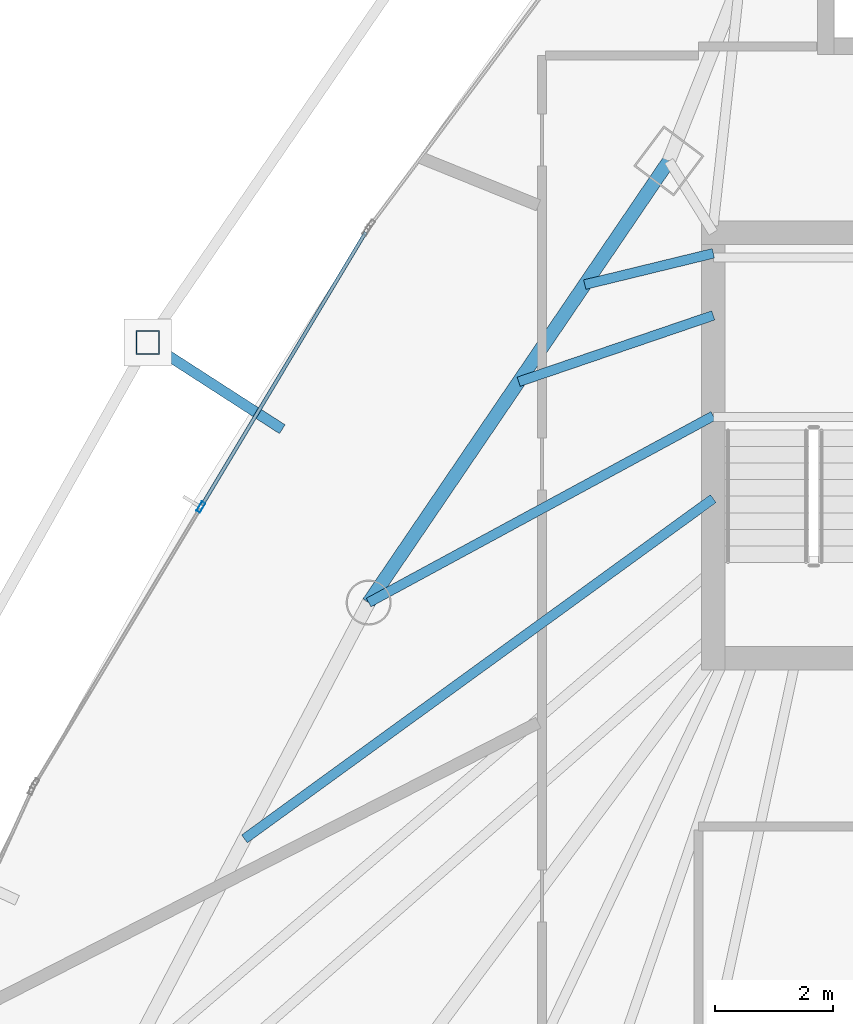
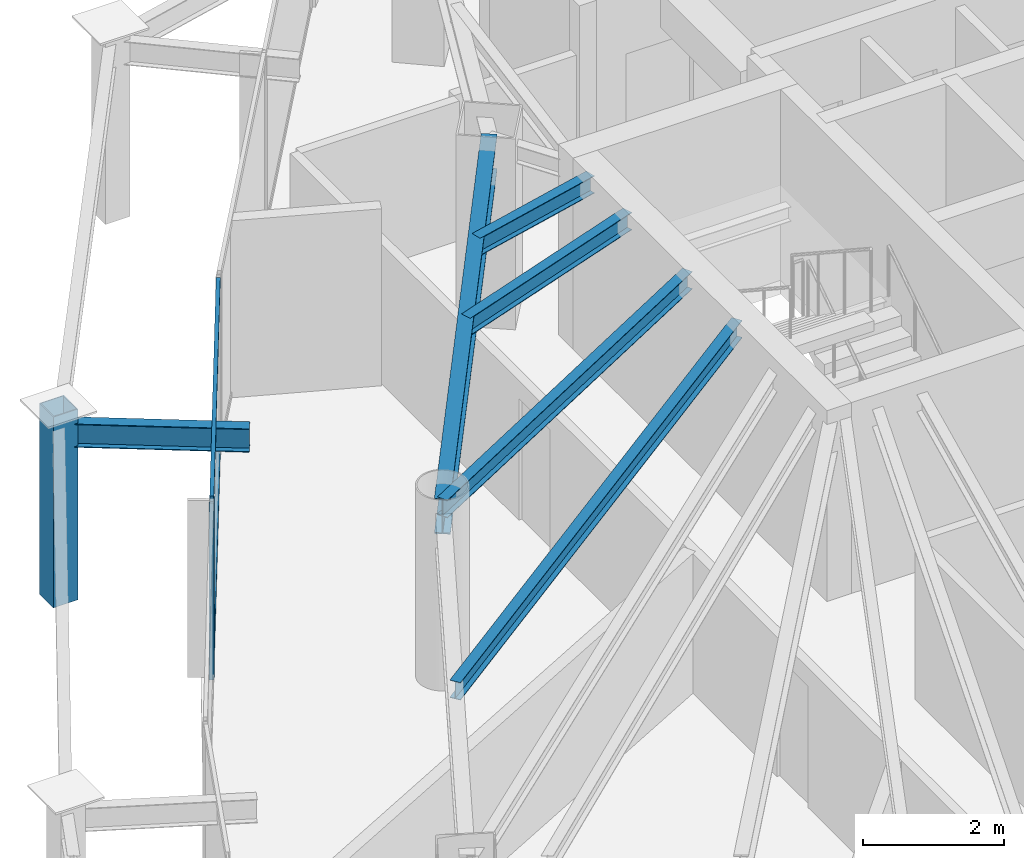
# One storey, part 12 of 31: 6 beams, 4 members, 1 element without a shape of its own.
"""IFC4 building model written with IfcOpenShell, lengths in metres."""

from ifc_helpers import new_model, si_unit, direction, frame, origin, origin_2d, place, context, subcontext, project, spatial, hollow_rectangle, i_section, extrude, material, layer, layer_set, material_profile, profile_set, type_object, element, aggregate, save


model = new_model("IFC4")

# Units and contexts
model_context = context("Model", 3, precision=1e-05, world=origin(), true_north=direction((0.0, 1.0)))
body_context = subcontext(model_context, "Body", "Model", "MODEL_VIEW")
ifc_project = project(units=[si_unit("LENGTHUNIT", "METRE"), si_unit("AREAUNIT", "SQUARE_METRE"), si_unit("VOLUMEUNIT", "CUBIC_METRE"), si_unit("PLANEANGLEUNIT", "RADIAN"), si_unit("MASSUNIT", "GRAM", prefix="KILO")], contexts=[model_context])

# Site, building, storey
site_placement = place(None, origin())
site = spatial("IfcSite", under=ifc_project, at=site_placement, CompositionType="ELEMENT")
building_placement = place(site_placement, origin())
building = spatial("IfcBuilding", under=site, at=building_placement, Name="Orvanel Arch Residences", CompositionType="ELEMENT")
storey_placement = place(building_placement, frame((0.0, 0.0, 157.25)))
storey = spatial("IfcBuildingStorey", under=building, at=storey_placement, Name="L44", CompositionType="ELEMENT", Elevation=157.25)

# Beams
ifc_material_1 = material(Name="Structural steel AS/NZS 3679.1 Grade 300 (300 MPa)", Category="steel")
ifc_material_profile_1 = material_profile(ifc_material_1, i_section(OverallWidth=0.1650390625, OverallDepth=0.303955078125, WebThickness=0.006103515625, FlangeThickness=0.01025390625, at=origin_2d()), Name="310UB40.4")
ifc_profile_set_1 = profile_set([ifc_material_profile_1], Name="Structural steel AS/NZS 3679.1 Grade 300 (300 MPa)")
beam_type_1 = type_object("IfcBeamType", Name="BJ-310UB", PredefinedType="JOIST", material=ifc_profile_set_1)
beam_1_placement = place(storey_placement, frame((26.39990234375, 30.800048828125, 2.907958984375), z_axis=(-0.87925534649, -0.476350748576, 0.0), x_axis=(0.476350748576, -0.87925534649, 0.0)))
element("IfcBeam", 1, at=beam_1_placement, inside=storey, type_object=beam_type_1, Name="L44 NW Wing Floor Joist", PredefinedType="JOIST", context=body_context, shape_type="SweptSolid", body=[
    extrude(i_section(OverallWidth=0.1650390625, OverallDepth=0.303955078125, WebThickness=0.006103515625, FlangeThickness=0.01025390625, at=origin_2d()), origin(), (0.0, 0.0, 1.0), 6.631591796875),
])
beam_2_placement = place(storey_placement, frame((26.39990234375, 32.5, 2.907958984375), z_axis=(-0.946441958332, -0.322873999431, 0.0), x_axis=(0.322873999431, -0.946441958332, 0.0)))
element("IfcBeam", 2, at=beam_2_placement, inside=storey, type_object=beam_type_1, Name="L44 WNW Wing Floor Joist", PredefinedType="JOIST", context=body_context, shape_type="SweptSolid", body=[
    extrude(i_section(OverallWidth=0.1650390625, OverallDepth=0.303955078125, WebThickness=0.006103515625, FlangeThickness=0.01025390625, at=origin_2d()), origin(), (0.0, 0.0, 1.0), 3.478271484375),
])
beam_3_placement = place(storey_placement, frame((26.39990234375, 29.39990234375, 2.907958984375), z_axis=(-0.809261403954, -0.587448704203, 0.0), x_axis=(0.587448704203, -0.809261403954, 0.0)))
element("IfcBeam", 3, at=beam_3_placement, inside=storey, type_object=beam_type_1, Name="L44 CTW Wing Floor Joist", PredefinedType="JOIST", context=body_context, shape_type="SweptSolid", body=[
    extrude(i_section(OverallWidth=0.1650390625, OverallDepth=0.303955078125, WebThickness=0.006103515625, FlangeThickness=0.01025390625, at=origin_2d()), origin(), (0.0, 0.0, 1.0), 9.80126953125),
])
beam_4_placement = place(storey_placement, frame((26.39990234375, 33.550048828125, 2.907958984375), z_axis=(-0.971638471014, -0.236471312521, 0.0), x_axis=(0.236471312521, -0.971638471014, 0.0)))
element("IfcBeam", 4, at=beam_4_placement, inside=storey, type_object=beam_type_1, Name="L44 JADD3 Wing Floor Joist", PredefinedType="JOIST", context=body_context, shape_type="SweptSolid", body=[
    extrude(i_section(OverallWidth=0.1650390625, OverallDepth=0.303955078125, WebThickness=0.006103515625, FlangeThickness=0.01025390625, at=origin_2d()), origin(), (0.0, 0.0, 1.0), 2.2373046875),
])

# Curtain wall, member
ifc_material_2 = material(Name="Bronze-anodised aluminium AA6063-T6", Category="aluminium")
ifc_layer = layer(ifc_material_2, 0.179931640625)
ifc_layer_set = layer_set([ifc_layer], Name="Bronze-anodised aluminium AA6063-T6")
curtain_wall_type = type_object("IfcCurtainWallType", Name="CW3-MID-SYS", PredefinedType="NOTDEFINED", material=ifc_layer_set)
curtain_wall_placement = place(storey_placement, origin())
curtain_wall = element("IfcCurtainWall", 5, at=curtain_wall_placement, inside=storey, type_object=curtain_wall_type, Name="L44 CW3-MID-SYS Unitised Curtain Wall", PredefinedType="NOTDEFINED")
ifc_material_profile_2 = material_profile(ifc_material_2, hollow_rectangle(XDim=0.070068359375, YDim=0.179931640625, WallThickness=0.00439453125, at=origin_2d()), Name="ALU180x70x4.5")
ifc_profile_set_2 = profile_set([ifc_material_profile_2], Name="Bronze-anodised aluminium AA6063-T6")
member_type_1 = type_object("IfcMemberType", Name="MUL-180x70", PredefinedType="MULLION", material=ifc_profile_set_2)
member_1_placement = place(storey_placement, frame((17.73095703125, 29.257080078125, 0.0), z_axis=(0.0, 0.0, 1.0), x_axis=(0.857541106242, -0.514415446021, 0.0)))
member_1 = element("IfcMember", 6, at=member_1_placement, type_object=member_type_1, Name="CW-S3 mullion 2", PredefinedType="MULLION", context=body_context, shape_type="SweptSolid", body=[
    extrude(hollow_rectangle(XDim=0.070068359375, YDim=0.179931640625, WallThickness=0.00439453125, at=origin_2d()), origin(), (0.0, 0.0, 1.0), 3.06005859375),
])

# Beams
ifc_material_profile_3 = material_profile(ifc_material_1, i_section(OverallWidth=0.177978515625, OverallDepth=0.406005859375, WebThickness=0.0078125, FlangeThickness=0.0126953125, at=origin_2d()), Name="410UB59.7")
ifc_profile_set_3 = profile_set([ifc_material_profile_3], Name="Structural steel AS/NZS 3679.1 Grade 300 (300 MPa)")
beam_type_2 = type_object("IfcBeamType", Name="OB-410UB-EXT", PredefinedType="SPANDREL", material=ifc_profile_set_3)
beam_5_placement = place(storey_placement, frame((19.10791015625, 30.573974609375, 2.85693359375), z_axis=(-0.840239663799, 0.542215185493, 0.0), x_axis=(-0.542215185493, -0.840239663799, 0.0)))
element("IfcBeam", 7, at=beam_5_placement, inside=storey, type_object=beam_type_2, Name="L44 Outer Frame Radial Tie Beam 02", PredefinedType="SPANDREL", context=body_context, shape_type="SweptSolid", body=[
    extrude(i_section(OverallWidth=0.177978515625, OverallDepth=0.406005859375, WebThickness=0.0078125, FlangeThickness=0.0126953125, at=origin_2d()), origin(), (0.0, 0.0, 1.0), 2.70751953125),
])
ifc_material_profile_4 = material_profile(ifc_material_1, i_section(OverallWidth=0.22900390625, OverallDepth=0.612060546875, WebThickness=0.011962890625, FlangeThickness=0.01953125, at=origin_2d()), Name="610UB125")
ifc_profile_set_4 = profile_set([ifc_material_profile_4], Name="Structural steel AS/NZS 3679.1 Grade 300 (300 MPa)")
beam_type_3 = type_object("IfcBeamType", Name="SP-610UB", PredefinedType="SPANDREL", material=ifc_profile_set_4)
beam_6_placement = place(storey_placement, frame((25.64794921875, 35.113037109375, 2.75390625), z_axis=(-0.562154793153, -0.827032035978, 0.0), x_axis=(0.827032035978, -0.562154793153, 0.0)))
element("IfcBeam", 8, at=beam_6_placement, inside=storey, type_object=beam_type_3, Name="L44 Perimeter Spandrel Beam 17", PredefinedType="SPANDREL", context=body_context, shape_type="SweptSolid", body=[
    extrude(i_section(OverallWidth=0.22900390625, OverallDepth=0.612060546875, WebThickness=0.011962890625, FlangeThickness=0.01953125, at=origin_2d()), origin(), (0.0, 0.0, 1.0), 9.03466796875),
])

# Member
ifc_material_3 = material(Name="Structural steel AS/NZS 1163 C450L0 (Grade 450)", Category="steel")
ifc_material_profile_5 = material_profile(ifc_material_3, hollow_rectangle(XDim=0.39990234375, YDim=0.39990234375, WallThickness=0.01611328125, at=origin_2d()), Name="SHS400x400x16")
ifc_profile_set_5 = profile_set([ifc_material_profile_5], Name="Structural steel AS/NZS 1163 C450L0 (Grade 450)")
member_type_2 = type_object("IfcMemberType", Name="ST-400SHS-EXT", PredefinedType="STRUT", material=ifc_profile_set_5)
member_2_placement = place(storey_placement, frame((16.8330078125, 32.0419921875, 0.0), z_axis=(0.0, 0.0, 1.0), x_axis=(1.0, 0.0, 0.0)))
element("IfcMember", 9, at=member_2_placement, inside=storey, type_object=member_type_2, Name="L44 Outer Perimeter Frame Post 02", PredefinedType="STRUT", context=body_context, shape_type="SweptSolid", body=[
    extrude(hollow_rectangle(XDim=0.39990234375, YDim=0.39990234375, WallThickness=0.01611328125, at=origin_2d()), origin(), (0.0, 0.0, 1.0), 3.300048828125),
])

ifc_material_profile_6 = material_profile(ifc_material_2, hollow_rectangle(XDim=0.06005859375, YDim=0.135009765625, WallThickness=0.00390625, at=origin_2d()), Name="ALU135x60x4")
ifc_profile_set_6 = profile_set([ifc_material_profile_6], Name="Bronze-anodised aluminium AA6063-T6")
member_type_3 = type_object("IfcMemberType", Name="TRN-135x60", PredefinedType="USERDEFINED", material=ifc_profile_set_6)
member_3_placement = place(storey_placement, frame((20.52099609375, 33.907958984375, 0.030029296875), z_axis=(-0.514422461846, -0.857536897601, 0.0), x_axis=(0.857536897601, -0.514422461846, 0.0)))
member_3 = element("IfcMember", 10, at=member_3_placement, type_object=member_type_3, Name="CW-S3 transom 1.1", ObjectType="TRANSOM", PredefinedType="USERDEFINED", context=body_context, shape_type="SweptSolid", body=[
    extrude(hollow_rectangle(XDim=0.06005859375, YDim=0.135009765625, WallThickness=0.00390625, at=origin_2d()), origin(), (0.0, 0.0, 1.0), 5.388427734375),
])

member_4_placement = place(storey_placement, frame((20.52099609375, 33.907958984375, 3.030029296875), z_axis=(-0.514422461846, -0.857536897601, 0.0), x_axis=(0.857536897601, -0.514422461846, 0.0)))
member_4 = element("IfcMember", 11, at=member_4_placement, type_object=member_type_3, Name="CW-S3 transom 1.2", ObjectType="TRANSOM", PredefinedType="USERDEFINED", context=body_context, shape_type="SweptSolid", body=[
    extrude(hollow_rectangle(XDim=0.06005859375, YDim=0.135009765625, WallThickness=0.00390625, at=origin_2d()), origin(), (0.0, 0.0, 1.0), 5.388427734375),
])

aggregate(curtain_wall, [member_1, member_3, member_4])

save(model, "model.ifc")
